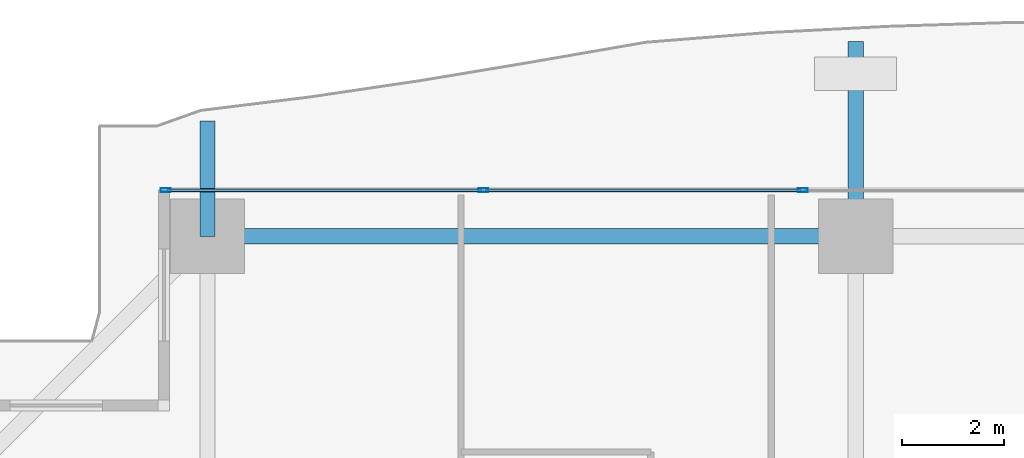
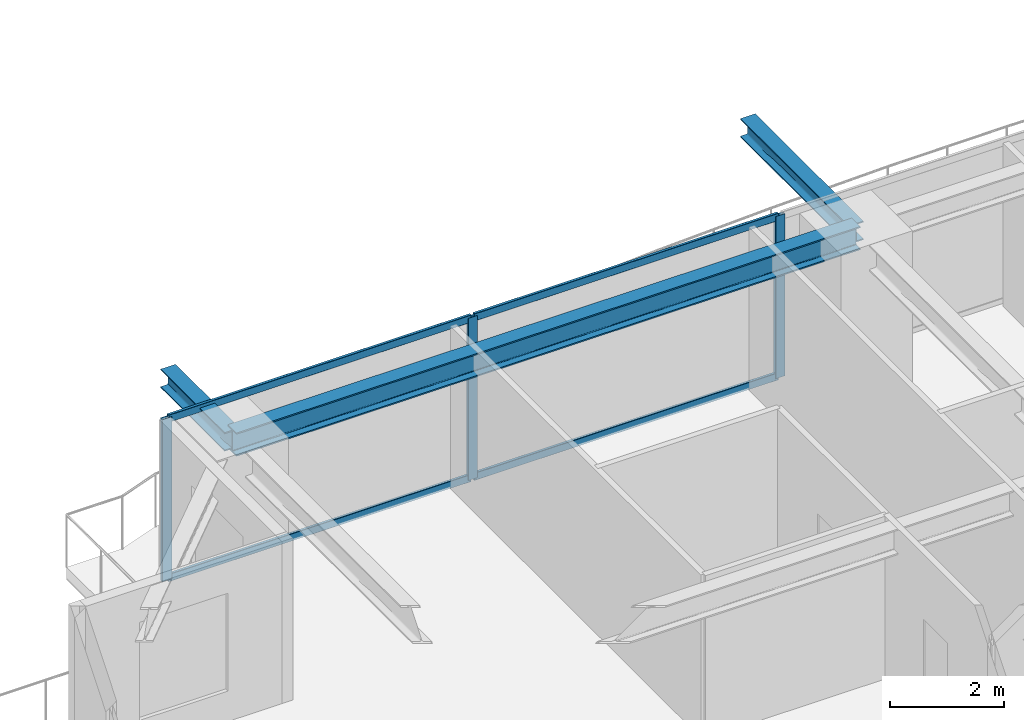
# One storey, part 19 of 38: 7 members, 3 beams, 1 element without a shape of its own.
"""IFC4 building model written with IfcOpenShell, lengths in metres."""

from ifc_helpers import new_model, si_unit, direction, frame, origin, origin_2d, place, context, subcontext, project, spatial, hollow_rectangle, i_section, extrude, source, transform, mapped, material, layer, layer_set, material_profile, profile_set, type_object, element, aggregate, save


model = new_model("IFC4")

# Units and contexts
model_context = context("Model", 3, precision=1e-05, world=origin(), true_north=direction((0.0, 1.0)))
body_context = subcontext(model_context, "Body", "Model", "MODEL_VIEW")
ifc_project = project(units=[si_unit("LENGTHUNIT", "METRE"), si_unit("AREAUNIT", "SQUARE_METRE"), si_unit("VOLUMEUNIT", "CUBIC_METRE"), si_unit("PLANEANGLEUNIT", "RADIAN"), si_unit("MASSUNIT", "GRAM", prefix="KILO")], contexts=[model_context])

# Site, building, storey
site_placement = place(None, origin())
site = spatial("IfcSite", under=ifc_project, at=site_placement, CompositionType="ELEMENT")
building_placement = place(site_placement, origin())
building = spatial("IfcBuilding", under=site, at=building_placement, Name="Serunith Strait Residences", CompositionType="ELEMENT")
storey_placement = place(building_placement, frame((0.0, 0.0, 52.949951171875)))
storey = spatial("IfcBuildingStorey", under=building, at=storey_placement, Name="L12", CompositionType="ELEMENT", Elevation=52.949951171875)

# Beams
ifc_material_1 = material(Name="Steel S355J2", Category="steel")
ifc_material_profile_1 = material_profile(ifc_material_1, i_section(OverallWidth=0.300048828125, OverallDepth=0.5, WebThickness=0.014404296875, FlangeThickness=0.028076171875, FilletRadius=0.027099609375, at=origin_2d()), Name="HEB 500")
ifc_profile_set_1 = profile_set([ifc_material_profile_1], Name="Steel S355J2")
beam_type_1 = type_object("IfcBeamType", Name="BM-HEB500", PredefinedType="BEAM", material=ifc_profile_set_1)
shared_shape_1 = source(origin(), body_context, "Body", "SweptSolid", [
    extrude(i_section(OverallWidth=0.300048828125, OverallDepth=0.5, WebThickness=0.014404296875, FlangeThickness=0.028076171875, FilletRadius=0.027099609375, at=origin_2d()), origin(), (0.0, 0.0, 1.0), 12.64990234375),
])
beam_1_placement = place(storey_placement, frame((27.89990234375, 49.300048828125, 3.237060546875), z_axis=(-1.0, 0.0, 0.0), x_axis=(0.0, -1.0, 0.0)))
element("IfcBeam", 1, at=beam_1_placement, inside=storey, type_object=beam_type_1, Name="L12 Perimeter Ring Beam 11", PredefinedType="BEAM", context=body_context, shape_type="MappedRepresentation", body=[
    mapped(shared_shape_1, transform((0.0, 0.0, 0.0), scale=1.0)),
])
ifc_material_profile_2 = material_profile(ifc_material_1, i_section(OverallWidth=0.300048828125, OverallDepth=0.39990234375, WebThickness=0.013427734375, FlangeThickness=0.02392578125, FilletRadius=0.027099609375, at=origin_2d()), Name="HEB 400")
ifc_profile_set_2 = profile_set([ifc_material_profile_2], Name="Steel S355J2")
beam_type_2 = type_object("IfcBeamType", Name="BM-HEB400", PredefinedType="BEAM", material=ifc_profile_set_2)
shared_shape_2 = source(origin(), body_context, "Body", "SweptSolid", [
    extrude(i_section(OverallWidth=0.300048828125, OverallDepth=0.39990234375, WebThickness=0.013427734375, FlangeThickness=0.02392578125, FilletRadius=0.027099609375, at=origin_2d()), origin(), (0.0, 0.0, 1.0), 3.800048828125),
])
beam_2_placement = place(storey_placement, frame((27.89990234375, 49.300048828125, 3.257080078125), z_axis=(0.0, 1.0, 0.0), x_axis=(-1.0, 0.0, 0.0)))
element("IfcBeam", 2, at=beam_2_placement, inside=storey, type_object=beam_type_2, Name="L13 Cantilevered Balcony Rib TC-N2", PredefinedType="BEAM", context=body_context, shape_type="MappedRepresentation", body=[
    mapped(shared_shape_2, transform((0.0, 0.0, 0.0), scale=1.0)),
])
shared_shape_3 = source(origin(), body_context, "Body", "SweptSolid", [
    extrude(i_section(OverallWidth=0.300048828125, OverallDepth=0.39990234375, WebThickness=0.013427734375, FlangeThickness=0.02392578125, FilletRadius=0.027099609375, at=origin_2d()), origin(), (0.0, 0.0, 1.0), 2.2470703125),
])
beam_3_placement = place(storey_placement, frame((15.25, 49.300048828125, 3.257080078125), z_axis=(0.0, 1.0, 0.0), x_axis=(-1.0, 0.0, 0.0)))
element("IfcBeam", 3, at=beam_3_placement, inside=storey, type_object=beam_type_2, Name="L13 Cantilevered Balcony Rib TC-N1", PredefinedType="BEAM", context=body_context, shape_type="MappedRepresentation", body=[
    mapped(shared_shape_3, transform((0.0, 0.0, 0.0), scale=1.0)),
])

# Curtain wall, members
ifc_material_2 = material(Name="Pale-Champagne Anodised Aluminium", Category="aluminium")
ifc_layer = layer(ifc_material_2, 0.199951171875, Name="Pale-Champagne Anodised Aluminium")
ifc_layer_set = layer_set([ifc_layer], Name="Pale-Champagne Anodised Aluminium")
curtain_wall_type = type_object("IfcCurtainWallType", Name="CW-SYS1", PredefinedType="NOTDEFINED", material=ifc_layer_set)
curtain_wall_placement = place(storey_placement, origin())
curtain_wall = element("IfcCurtainWall", 4, at=curtain_wall_placement, inside=storey, type_object=curtain_wall_type, Name="L12 N Unitised Fritted Curtain Wall", PredefinedType="NOTDEFINED")
ifc_material_profile_3 = material_profile(ifc_material_2, hollow_rectangle(XDim=0.070068359375, YDim=0.199951171875, WallThickness=0.00390625, InnerFilletRadius=0.006103515625, OuterFilletRadius=0.010009765625, at=origin_2d()), Name="ALU 200x70x4")
ifc_profile_set_3 = profile_set([ifc_material_profile_3], Name="Pale-Champagne Anodised Aluminium")
member_type_1 = type_object("IfcMemberType", Name="CW-SYS1-MULL", PredefinedType="MULLION", material=ifc_profile_set_3)
shared_shape_4 = source(origin(), body_context, "Body", "SweptSolid", [
    extrude(hollow_rectangle(XDim=0.070068359375, YDim=0.199951171875, WallThickness=0.00390625, InnerFilletRadius=0.006103515625, OuterFilletRadius=0.010009765625, at=origin_2d()), origin(), (0.0, 0.0, 1.0), 3.47509765625),
])
member_1_placement = place(storey_placement, frame((26.86669921875, 50.199951171875, 0.0), z_axis=(0.0, 0.0, 1.0), x_axis=(0.0, -1.0, 0.0)))
member_1 = element("IfcMember", 5, at=member_1_placement, type_object=member_type_1, Name="CW-1 mullion 2", PredefinedType="MULLION", context=body_context, shape_type="MappedRepresentation", body=[
    mapped(shared_shape_4, transform((0.0, 0.0, 0.0), scale=1.0)),
])
member_2_placement = place(storey_placement, frame((20.63330078125, 50.199951171875, 0.0), z_axis=(0.0, 0.0, 1.0), x_axis=(0.0, -1.0, 0.0)))
member_2 = element("IfcMember", 6, at=member_2_placement, type_object=member_type_1, Name="CW-1 mullion 3", PredefinedType="MULLION", context=body_context, shape_type="MappedRepresentation", body=[
    mapped(shared_shape_4, transform((0.0, 0.0, 0.0), scale=1.0)),
])
member_3_placement = place(storey_placement, frame((14.43505859375, 50.199951171875, 0.0), z_axis=(0.0, 0.0, 1.0), x_axis=(0.0, -1.0, 0.0)))
member_3 = element("IfcMember", 7, at=member_3_placement, type_object=member_type_1, Name="CW-1 mullion 4", PredefinedType="MULLION", context=body_context, shape_type="MappedRepresentation", body=[
    mapped(shared_shape_4, transform((0.0, 0.0, 0.0), scale=1.0)),
])
ifc_material_profile_4 = material_profile(ifc_material_2, hollow_rectangle(XDim=0.06005859375, YDim=0.159912109375, WallThickness=0.00341796875, InnerFilletRadius=0.00537109375, OuterFilletRadius=0.0087890625, at=origin_2d()), Name="ALU 160x60x3.5")
ifc_profile_set_4 = profile_set([ifc_material_profile_4], Name="Pale-Champagne Anodised Aluminium")
member_type_2 = type_object("IfcMemberType", Name="CW-SYS1-TRAN", PredefinedType="USERDEFINED", material=ifc_profile_set_4)
shared_shape_5 = source(origin(), body_context, "Body", "SweptSolid", [
    extrude(hollow_rectangle(XDim=0.06005859375, YDim=0.159912109375, WallThickness=0.00341796875, InnerFilletRadius=0.00537109375, OuterFilletRadius=0.0087890625, at=origin_2d()), origin(), (0.0, 0.0, 1.0), 6.12841796875),
])
member_4_placement = place(storey_placement, frame((20.598388671875, 50.199951171875, 0.030029296875), z_axis=(-1.0, 0.0, 0.0), x_axis=(0.0, -1.0, 0.0)))
member_4 = element("IfcMember", 8, at=member_4_placement, type_object=member_type_2, Name="CW-1 transom 3.1", ObjectType="TRANSOM", PredefinedType="USERDEFINED", context=body_context, shape_type="MappedRepresentation", body=[
    mapped(shared_shape_5, transform((0.0, 0.0, 0.0), scale=1.0)),
])
member_5_placement = place(storey_placement, frame((20.598388671875, 50.199951171875, 3.445068359375), z_axis=(-1.0, 0.0, 0.0), x_axis=(0.0, -1.0, 0.0)))
member_5 = element("IfcMember", 9, at=member_5_placement, type_object=member_type_2, Name="CW-1 transom 3.2", ObjectType="TRANSOM", PredefinedType="USERDEFINED", context=body_context, shape_type="MappedRepresentation", body=[
    mapped(shared_shape_5, transform((0.0, 0.0, 0.0), scale=1.0)),
])
shared_shape_6 = source(origin(), body_context, "Body", "SweptSolid", [
    extrude(hollow_rectangle(XDim=0.06005859375, YDim=0.159912109375, WallThickness=0.00341796875, InnerFilletRadius=0.00537109375, OuterFilletRadius=0.0087890625, at=origin_2d()), origin(), (0.0, 0.0, 1.0), 6.16357421875),
])
member_6_placement = place(storey_placement, frame((26.831787109375, 50.199951171875, 0.030029296875), z_axis=(-1.0, 0.0, 0.0), x_axis=(0.0, -1.0, 0.0)))
member_6 = element("IfcMember", 10, at=member_6_placement, type_object=member_type_2, Name="CW-1 transom 2.1", ObjectType="TRANSOM", PredefinedType="USERDEFINED", context=body_context, shape_type="MappedRepresentation", body=[
    mapped(shared_shape_6, transform((0.0, 0.0, 0.0), scale=1.0)),
])
member_7_placement = place(storey_placement, frame((26.831787109375, 50.199951171875, 3.445068359375), z_axis=(-1.0, 0.0, 0.0), x_axis=(0.0, -1.0, 0.0)))
member_7 = element("IfcMember", 11, at=member_7_placement, type_object=member_type_2, Name="CW-1 transom 2.2", ObjectType="TRANSOM", PredefinedType="USERDEFINED", context=body_context, shape_type="MappedRepresentation", body=[
    mapped(shared_shape_6, transform((0.0, 0.0, 0.0), scale=1.0)),
])
aggregate(curtain_wall, [member_1, member_2, member_3, member_6, member_7, member_4, member_5])

save(model, "model.ifc")
